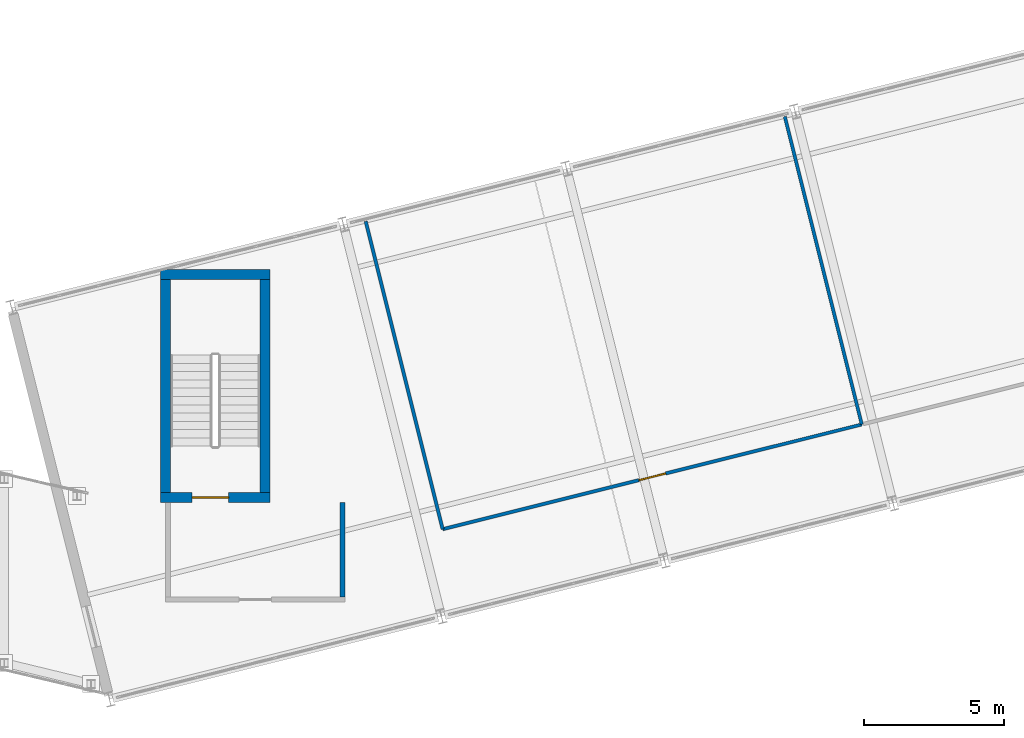
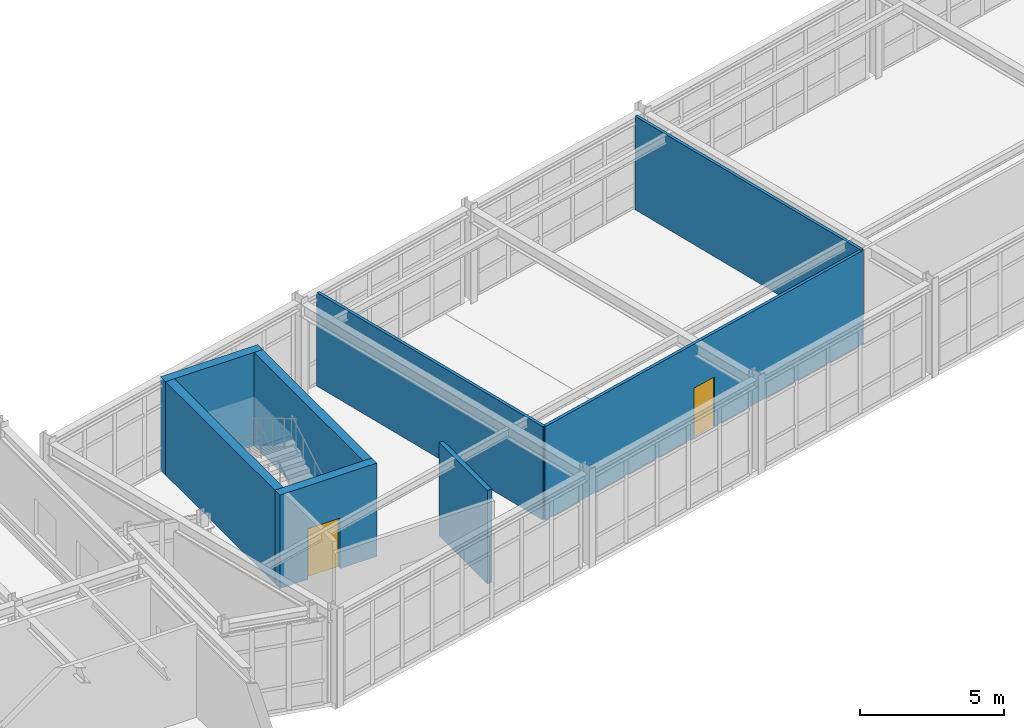
# One storey, part 70 of 88: 8 walls, 2 doors, 2 openings.
"""IFC4 building model written with IfcOpenShell, lengths in metres."""

from ifc_helpers import new_model, si_unit, direction, frame, frame_2d, origin, place, context, subcontext, project, spatial, rectangle, extrude, material, layer, layer_set, type_object, element, fill, save


model = new_model("IFC4")

# Units and contexts
model_context = context("Model", 3, precision=1e-05, world=origin(), true_north=direction((0.0, 1.0)))
body_context = subcontext(model_context, "Body", "Model", "MODEL_VIEW")
ifc_project = project(units=[si_unit("LENGTHUNIT", "METRE"), si_unit("AREAUNIT", "SQUARE_METRE"), si_unit("VOLUMEUNIT", "CUBIC_METRE"), si_unit("PLANEANGLEUNIT", "RADIAN"), si_unit("MASSUNIT", "GRAM", prefix="KILO")], contexts=[model_context])

# Site, building, storey
site_placement = place(None, origin())
site = spatial("IfcSite", under=ifc_project, at=site_placement, CompositionType="ELEMENT")
building_placement = place(site_placement, origin())
building = spatial("IfcBuilding", under=site, at=building_placement, Name="Nordkorset Police Headquarters", CompositionType="ELEMENT")
storey_placement = place(building_placement, frame((0.0, 0.0, 9.449951171875)))
storey = spatial("IfcBuildingStorey", under=building, at=storey_placement, Name="L02", CompositionType="ELEMENT", Elevation=9.449951171875)

# Wall
ifc_material_1 = material(Name="Gypsum board", Category="gypsum")
ifc_layer_1 = layer(ifc_material_1, 0.179931640625, Name="Gypsum board")
ifc_layer_set_1 = layer_set([ifc_layer_1], Name="Gypsum board")
wall_type_1 = type_object("IfcWallType", Name="Wall_Comp_180", PredefinedType="PARTITIONING", material=ifc_layer_set_1)
wall_1_placement = place(storey_placement, frame((31.909912109375, 45.64990234375, 0.0), z_axis=(0.0, 0.0, 1.0), x_axis=(0.0, 1.0, 0.0)))
element("IfcWall", 1, at=wall_1_placement, inside=storey, type_object=wall_type_1, Name="Firefighting Lobby EI 60 Wall K7 L02 E", PredefinedType="PARTITIONING", context=body_context, shape_type="SweptSolid", body=[
    extrude(rectangle(XDim=3.375, YDim=0.179931640625, at=frame_2d((1.6875, 0.0))), origin(), (0.0, 0.0, 1.0), 3.969970703125),
])

# Wall, opening, door
ifc_material_2 = material(Name="Concrete C35/45", Category="concrete")
ifc_layer_2 = layer(ifc_material_2, 0.35009765625, Name="Concrete C35/45")
ifc_layer_set_2 = layer_set([ifc_layer_2], Name="Concrete C35/45")
wall_type_2 = type_object("IfcWallType", Name="Wall_CoreShear_350", PredefinedType="SHEAR", material=ifc_layer_set_2)
wall_2_placement = place(storey_placement, frame((25.425048828125, 49.199951171875, 0.0), z_axis=(0.0, 0.0, 1.0), x_axis=(1.0, 0.0, 0.0)))
wall_2 = element("IfcWall", 2, at=wall_2_placement, inside=storey, type_object=wall_type_2, Name="Core K7 Stair Shaft South Shear Wall L02", PredefinedType="SHEAR", context=body_context, shape_type="SweptSolid", body=[
    extrude(rectangle(XDim=3.89990234375, YDim=0.35009765625, at=frame_2d((1.949951171875, 0.0))), origin(), (0.0, 0.0, 1.0), 3.969970703125),
])
opening_1_placement = place(wall_2_placement, frame((1.125, 0.0, 0.0)))
opening_1 = element("IfcOpeningElement", 3, at=opening_1_placement, cuts=wall_2, Name="Opening DR-20", PredefinedType="OPENING", context=body_context, shape_type="SweptSolid", body=[
    extrude(rectangle(XDim=1.300048828125, YDim=2.14990234375, at=frame_2d((0.64990234375, 1.074951171875))), frame((0.0, 0.18505859375, 0.0), z_axis=(0.0, -1.0, 0.0), x_axis=(1.0, 0.0, 0.0)), (0.0, 0.0, 1.0), 0.3701171875),
])
ifc_material_3 = material(Name="Steel S355J2", Category="steel")
door_type_1 = type_object("IfcDoorType", Name="Door_Stair_1300x2150", OperationType="NOTDEFINED", PredefinedType="DOOR", material=ifc_material_3)
door_1_placement = place(opening_1_placement, frame((1.300048828125, 0.0, 0.0), z_axis=(0.0, 0.0, 1.0), x_axis=(-1.0, 0.0, 0.0)))
door_1 = element("IfcDoor", 4, at=door_1_placement, inside=storey, type_object=door_type_1, Name="Protected Stair Fire Door ST-08 L02", OperationType="SINGLE_SWING_LEFT", OverallHeight=2.14990234375, OverallWidth=1.300048828125, PredefinedType="DOOR", context=body_context, shape_type="SweptSolid", body=[
    extrude(rectangle(XDim=1.300048828125, YDim=2.14990234375, at=frame_2d((0.64990234375, 1.074951171875))), frame((0.0, 0.02490234375, 0.0), z_axis=(0.0, -1.0, 0.0), x_axis=(1.0, 0.0, 0.0)), (0.0, 0.0, 1.0), 0.050048828125),
])
fill(opening_1, door_1)

# Walls
wall_3_placement = place(storey_placement, frame((25.425048828125, 57.14990234375, 0.0), z_axis=(0.0, 0.0, 1.0), x_axis=(1.0, 0.0, 0.0)))
element("IfcWall", 5, at=wall_3_placement, inside=storey, type_object=wall_type_2, Name="Core K7 Stair Shaft North Shear Wall L02", PredefinedType="SHEAR", context=body_context, shape_type="SweptSolid", body=[
    extrude(rectangle(XDim=3.89990234375, YDim=0.35009765625, at=frame_2d((1.949951171875, 0.0))), origin(), (0.0, 0.0, 1.0), 3.969970703125),
])
for number, where, z_axis, x_axis, name in (
    (6, (25.60009765625, 49.375, 0.0), (0.0, 0.0, 1.0), (0.0, 1.0, 0.0), "Core K7 Stair Shaft West Shear Wall L02"),
    (7, (29.14990234375, 49.375, 0.0), (0.0, 0.0, 1.0), (0.0, 1.0, 0.0), "Core K7 Stair Shaft East Shear Wall L02"),
):
    element("IfcWall", number, at=place(storey_placement, frame(where, z_axis=z_axis, x_axis=x_axis)), inside=storey, type_object=wall_type_2, Name=name, PredefinedType="SHEAR", context=body_context, shape_type="SweptSolid", body=[
        extrude(rectangle(XDim=7.60009765625, YDim=0.35009765625, at=frame_2d((3.800048828125, 0.0))), origin(), (0.0, 0.0, 1.0), 3.969970703125),
    ])

# Wall, opening, door
ifc_material_4 = material(Name="Gypsum board", Category="gypsum")
ifc_layer_3 = layer(ifc_material_4, 0.1201171875, Name="Gypsum board")
ifc_layer_set_3 = layer_set([ifc_layer_3], Name="Gypsum board")
wall_type_3 = type_object("IfcWallType", Name="Wall_Part_120", PredefinedType="PARTITIONING", material=ifc_layer_set_3)
wall_4_placement = place(storey_placement, frame((35.484130859375, 48.0634765625, 0.0), z_axis=(0.0, 0.0, 1.0), x_axis=(0.970146230171, 0.242520704444, 0.0)))
wall_4 = element("IfcWall", 8, at=wall_4_placement, inside=storey, type_object=wall_type_3, Name="Interior Partition Wall Interactive Incident Command Simulator", PredefinedType="PARTITIONING", context=body_context, shape_type="SweptSolid", body=[
    extrude(rectangle(XDim=15.400146484375, YDim=0.1201171875, at=frame_2d((7.7001953125, 0.0))), origin(), (0.0, 0.0, 1.0), 3.969970703125),
])
opening_2_placement = place(wall_4_placement, frame((7.2099609375, 0.0, 0.0)))
opening_2 = element("IfcOpeningElement", 9, at=opening_2_placement, cuts=wall_4, Name="Opening DR-18", PredefinedType="OPENING", context=body_context, shape_type="SweptSolid", body=[
    extrude(rectangle(XDim=0.97998046875, YDim=2.10009765625, at=frame_2d((0.489990234375, 1.050048828125))), frame((0.0, 0.070068359375, 0.0), z_axis=(0.0, -1.0, 0.0), x_axis=(1.0, 0.0, 0.0)), (0.0, 0.0, 1.0), 0.14013671875),
])
ifc_material_5 = material(Name="Glulam GL30c", Category="wood")
door_type_2 = type_object("IfcDoorType", Name="Door_Office_980x2100", OperationType="NOTDEFINED", PredefinedType="DOOR", material=ifc_material_5)
door_2_placement = place(opening_2_placement, frame((0.97998046875, 0.0, 0.0), z_axis=(0.0, 0.0, 1.0), x_axis=(-1.0, 0.0, 0.0)))
door_2 = element("IfcDoor", 10, at=door_2_placement, inside=storey, type_object=door_type_2, Name="Interior Door Interactive Incident Command Simulator", OperationType="SINGLE_SWING_RIGHT", OverallHeight=2.10009765625, OverallWidth=0.97998046875, PredefinedType="DOOR", context=body_context, shape_type="SweptSolid", body=[
    extrude(rectangle(XDim=0.97998046875, YDim=2.10009765625, at=frame_2d((0.489990234375, 1.050048828125))), frame((0.0, 0.02490234375, 0.0), z_axis=(0.0, -1.0, 0.0), x_axis=(1.0, 0.0, 0.0)), (0.0, 0.0, 1.0), 0.050048828125),
])
fill(opening_2, door_2)

# Walls
wall_5_placement = place(storey_placement, frame((50.424560546875, 51.79833984375, 0.0), z_axis=(0.0, 0.0, 1.0), x_axis=(-0.242540701841, 0.97014123093, 0.0)))
element("IfcWall", 11, at=wall_5_placement, inside=storey, type_object=wall_type_3, Name="Interior Partition Wall Interactive Incident Command Simulator", PredefinedType="PARTITIONING", context=body_context, shape_type="SweptSolid", body=[
    extrude(rectangle(XDim=11.315185546875, YDim=0.1201171875, at=frame_2d((5.65771484375, 0.0))), origin(), (0.0, 0.0, 1.0), 3.969970703125),
])
wall_6_placement = place(storey_placement, frame((32.739990234375, 59.04052734375, 0.0), z_axis=(0.0, 0.0, 1.0), x_axis=(0.242525471141, -0.970145038563, 0.0)))
element("IfcWall", 12, at=wall_6_placement, inside=storey, type_object=wall_type_3, Name="Interior Partition Wall Interactive Incident Command Simulator", PredefinedType="PARTITIONING", context=body_context, shape_type="SweptSolid", body=[
    extrude(rectangle(XDim=11.31494140625, YDim=0.1201171875, at=frame_2d((5.657470703125, 0.0))), origin(), (0.0, 0.0, 1.0), 3.969970703125),
])

save(model, "model.ifc")
